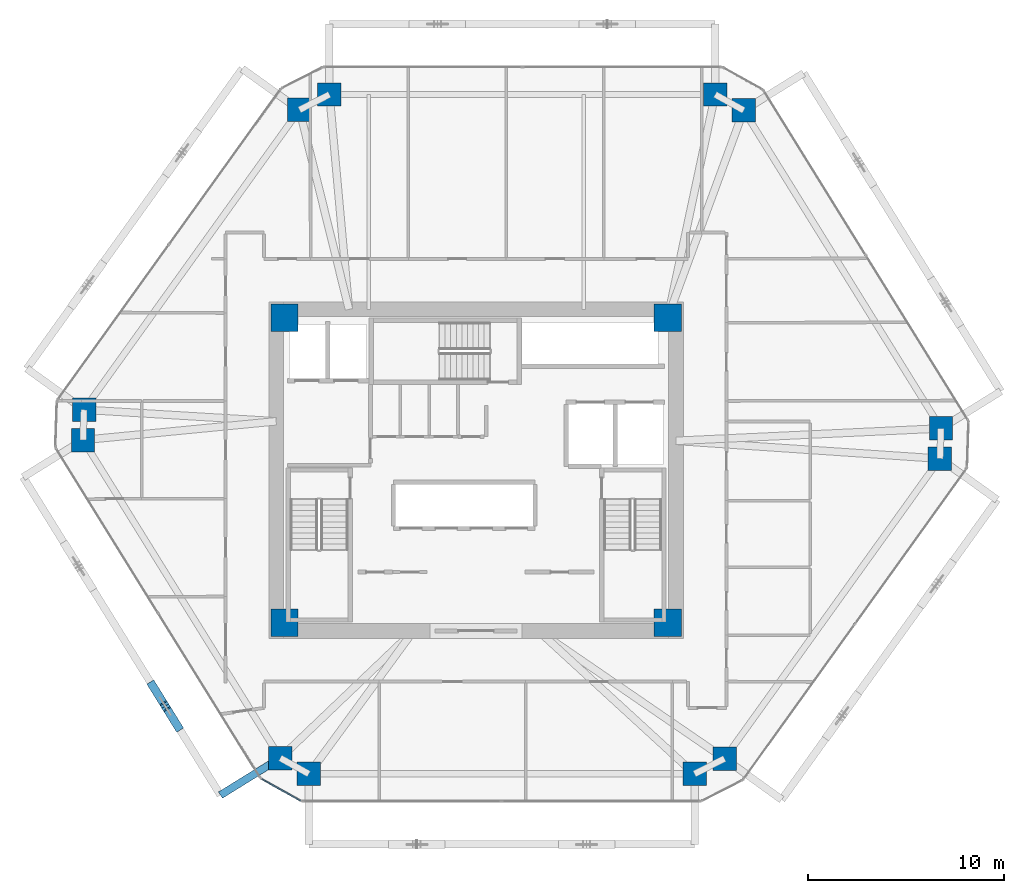
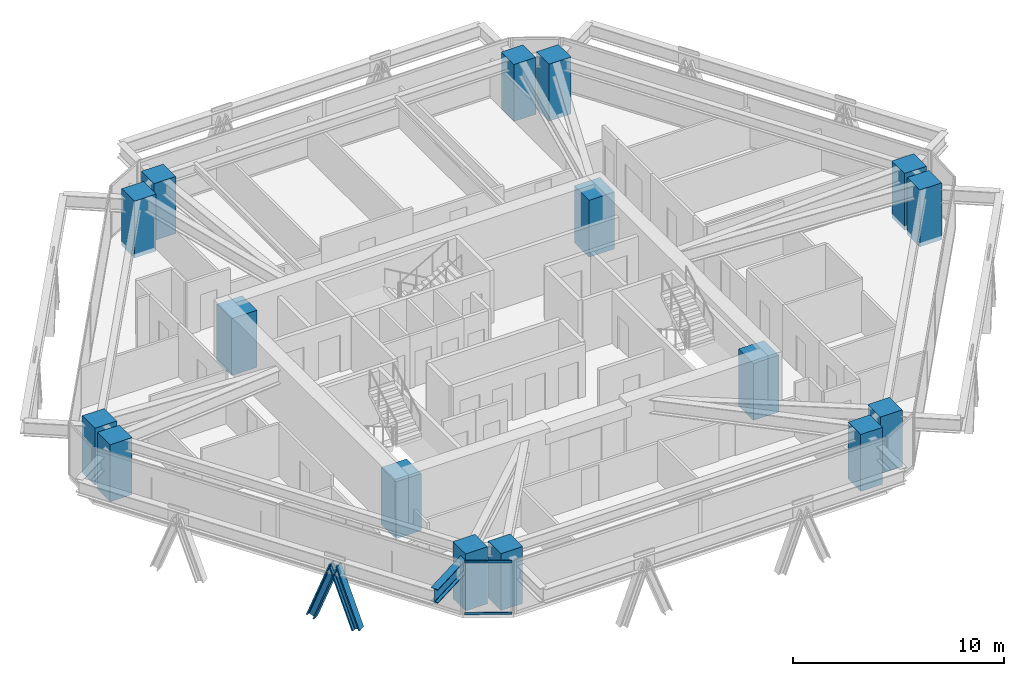
# One storey, part 1 of 16: 16 columns, 4 members, 1 beam, 1 element without a shape of its own.
"""IFC4 building model written with IfcOpenShell, lengths in metres."""

from ifc_helpers import new_model, si_unit, direction, frame, origin, origin_2d, place, context, subcontext, project, spatial, rectangle, i_section, extrude, source, transform, mapped, material, layer, layer_set, material_profile, profile_set, type_object, type_shapes, element, aggregate, save


model = new_model("IFC4")

# Units and contexts
model_context = context("Model", 3, precision=1e-05, world=origin(), true_north=direction((0.0, 1.0)))
body_context = subcontext(model_context, "Body", "Model", "MODEL_VIEW")
ifc_project = project(units=[si_unit("LENGTHUNIT", "METRE"), si_unit("AREAUNIT", "SQUARE_METRE"), si_unit("VOLUMEUNIT", "CUBIC_METRE"), si_unit("PLANEANGLEUNIT", "RADIAN"), si_unit("MASSUNIT", "GRAM", prefix="KILO")], contexts=[model_context])

# Site, building, storey
site_placement = place(None, origin())
site = spatial("IfcSite", under=ifc_project, at=site_placement, CompositionType="ELEMENT")
building_placement = place(site_placement, origin())
building = spatial("IfcBuilding", under=site, at=building_placement, Name="Durnholm Broadcast Tower", CompositionType="ELEMENT")
storey_placement = place(building_placement, frame((0.0, 0.0, 123.89990234375)))
storey = spatial("IfcBuildingStorey", under=building, at=storey_placement, Name="L33", CompositionType="ELEMENT", Elevation=123.89990234375)

# Columns
ifc_material_1 = material(Name="Concrete C70/85", Category="concrete")
ifc_material_profile_1 = material_profile(ifc_material_1, rectangle(XDim=1.39990234375, YDim=1.39990234375, at=origin_2d()), Name="RC1400X1400")
ifc_profile_set_1 = profile_set([ifc_material_profile_1], Name="Concrete C70/85")
column_type_1 = type_object("IfcColumnType", Name="COL-CC-1400", PredefinedType="COLUMN", material=ifc_profile_set_1)
shared_shape_1 = source(origin(), body_context, "Body", "SweptSolid", [
    extrude(rectangle(XDim=1.39990234375, YDim=1.39990234375, at=origin_2d()), origin(), (0.0, 0.0, 1.0), 3.300048828125),
])
type_shapes(column_type_1, [shared_shape_1])
for number, where, z_axis, x_axis, name in (
    (1, (-9.800048828125, -7.800048828125, -0.239990234375), (0.0, 0.0, 1.0), (1.0, 0.0, 0.0), "L33 core corner column 1"),
    (2, (9.800048828125, -7.800048828125, -0.239990234375), (0.0, 0.0, 1.0), (1.0, 0.0, 0.0), "L33 core corner column 2"),
    (3, (9.800048828125, 7.800048828125, -0.239990234375), (0.0, 0.0, 1.0), (1.0, 0.0, 0.0), "L33 core corner column 3"),
    (4, (-9.800048828125, 7.800048828125, -0.239990234375), (0.0, 0.0, 1.0), (1.0, 0.0, 0.0), "L33 core corner column 4"),
):
    element("IfcColumn", number, at=place(storey_placement, frame(where, z_axis=z_axis, x_axis=x_axis)), inside=storey, type_object=column_type_1, Name=name, PredefinedType="COLUMN", context=body_context, shape_type="MappedRepresentation", body=[
        mapped(shared_shape_1, transform((0.0, 0.0, 0.0), x_axis=(1.0, 0.0, 0.0), y_axis=(0.0, 1.0, 0.0), z_axis=(0.0, 0.0, 1.0), scale=1.0)),
    ])
ifc_material_profile_2 = material_profile(ifc_material_1, rectangle(XDim=1.199951171875, YDim=1.199951171875, at=origin_2d()), Name="RC1200X1200")
ifc_profile_set_2 = profile_set([ifc_material_profile_2], Name="Concrete C70/85")
column_type_2 = type_object("IfcColumnType", Name="COL-CC-1200", PredefinedType="COLUMN", material=ifc_profile_set_2)
shared_shape_2 = source(origin(), body_context, "Body", "SweptSolid", [
    extrude(rectangle(XDim=1.199951171875, YDim=1.199951171875, at=origin_2d()), origin(), (0.0, 0.0, 1.0), 3.300048828125),
])
type_shapes(column_type_2, [shared_shape_2])
for number, where, z_axis, x_axis, name in (
    (5, (-10.01416015625, -14.723388671875, -0.239990234375), (0.0, 0.0, 1.0), (1.0, 0.0, 0.0), "L33 perimeter hexagonal tube column 01"),
    (6, (-20.102783203125, 1.54150390625, -0.239990234375), (0.0, 0.0, 1.0), (1.0, 0.0, 0.0), "L33 perimeter hexagonal tube column 02"),
    (7, (-20.050048828125, 3.091064453125, -0.239990234375), (0.0, 0.0, 1.0), (1.0, 0.0, 0.0), "L33 perimeter hexagonal tube column 03"),
    (8, (-9.031982421875, 18.42822265625, -0.239990234375), (0.0, 0.0, 1.0), (1.0, 0.0, 0.0), "L33 perimeter hexagonal tube column 04"),
    (9, (-7.498046875, 19.215087890625, -0.239990234375), (0.0, 0.0, 1.0), (1.0, 0.0, 0.0), "L33 perimeter hexagonal tube column 05"),
    (10, (12.22998046875, 19.215087890625, -0.239990234375), (0.0, 0.0, 1.0), (1.0, 0.0, 0.0), "L33 perimeter hexagonal tube column 06"),
    (11, (13.692138671875, 18.4013671875, -0.239990234375), (0.0, 0.0, 1.0), (1.0, 0.0, 0.0), "L33 perimeter hexagonal tube column 07"),
    (12, (23.78076171875, 2.13671875, -0.239990234375), (0.0, 0.0, 1.0), (1.0, 0.0, 0.0), "L33 perimeter hexagonal tube column 08"),
    (13, (23.72802734375, 0.5869140625, -0.239990234375), (0.0, 0.0, 1.0), (1.0, 0.0, 0.0), "L33 perimeter hexagonal tube column 09"),
    (14, (12.7099609375, -14.750244140625, -0.239990234375), (0.0, 0.0, 1.0), (1.0, 0.0, 0.0), "L33 perimeter hexagonal tube column 10"),
    (15, (11.176025390625, -15.537109375, -0.239990234375), (0.0, 0.0, 1.0), (1.0, 0.0, 0.0), "L33 perimeter hexagonal tube column 11"),
    (16, (-8.552001953125, -15.537109375, -0.239990234375), (0.0, 0.0, 1.0), (1.0, 0.0, 0.0), "L33 perimeter hexagonal tube column 12"),
):
    element("IfcColumn", number, at=place(storey_placement, frame(where, z_axis=z_axis, x_axis=x_axis)), inside=storey, type_object=column_type_2, Name=name, PredefinedType="COLUMN", context=body_context, shape_type="MappedRepresentation", body=[
        mapped(shared_shape_2, transform((0.0, 0.0, 0.0), x_axis=(1.0, 0.0, 0.0), y_axis=(0.0, 1.0, 0.0), z_axis=(0.0, 0.0, 1.0), scale=1.0)),
    ])

# Beam
ifc_material_2 = material(Name="Steel ASTM A992 Grade 50", Category="steel")
ifc_material_profile_3 = material_profile(ifc_material_2, i_section(OverallWidth=0.385009765625, OverallDepth=0.802978515625, WebThickness=0.023681640625, FlangeThickness=0.0419921875, FilletRadius=0.032958984375, at=origin_2d()), Name="W30X261")
ifc_profile_set_3 = profile_set([ifc_material_profile_3], Name="Steel ASTM A992 Grade 50")
beam_type = type_object("IfcBeamType", Name="BM-EXO-TIE", PredefinedType="USERDEFINED", material=ifc_profile_set_3)
shared_shape_3 = source(origin(), body_context, "Body", "SweptSolid", [
    extrude(i_section(OverallWidth=0.385009765625, OverallDepth=0.802978515625, WebThickness=0.023681640625, FlangeThickness=0.0419921875, FilletRadius=0.032958984375, at=origin_2d()), origin(), (0.0, 0.0, 1.0), 3.455810546875),
])
type_shapes(beam_type, [shared_shape_3])
beam_placement = place(storey_placement, frame((-10.13671875, -14.79931640625, 2.30859375), z_axis=(-0.849807128357, -0.527093772107, 0.0), x_axis=(0.527093772107, -0.849807128357, 0.0)))
element("IfcBeam", 17, at=beam_placement, inside=storey, type_object=beam_type, Name="L33 exoskeleton stand-off tie bracket F6.2", ObjectType="GIRDER", PredefinedType="USERDEFINED", context=body_context, shape_type="MappedRepresentation", body=[
    mapped(shared_shape_3, transform((0.0, 0.0, 0.0), x_axis=(1.0, 0.0, 0.0), y_axis=(0.0, 1.0, 0.0), z_axis=(0.0, 0.0, 1.0), scale=1.0)),
])

# Members
ifc_material_3 = material(Name="Steel ASTM A913 Grade 65", Category="steel")
ifc_material_profile_4 = material_profile(ifc_material_3, i_section(OverallWidth=0.41845703125, OverallDepth=0.455078125, WebThickness=0.0419921875, FlangeThickness=0.067626953125, FilletRadius=0.030517578125, at=origin_2d()), Name="W14X370")
ifc_profile_set_4 = profile_set([ifc_material_profile_4], Name="Steel ASTM A913 Grade 65")
member_type_1 = type_object("IfcMemberType", Name="STL-DG-W14X370", PredefinedType="BRACE", material=ifc_profile_set_4)
shared_shape_4 = source(origin(), body_context, "Body", "SweptSolid", [
    extrude(i_section(OverallWidth=0.41845703125, OverallDepth=0.455078125, WebThickness=0.0419921875, FlangeThickness=0.067626953125, FilletRadius=0.030517578125, at=origin_2d()), origin(), (0.0, 0.0, 1.0), 3.52294921875),
])
type_shapes(member_type_1, [shared_shape_4])
for number, where, z_axis, x_axis, name in (
    (18, (-16.548583984375, -11.018310546875, -0.9912109375), (0.184618626166, -0.297579722507, 0.936676182907), (0.849750220063, 0.527185511469, 0.0), "L33 stand-off diagrid brace F6.D2.1"),
    (19, (-15.247802734375, -13.115234375, -0.9912109375), (-0.184614818514, 0.297642884954, 0.936656864503), (-0.849805205368, -0.527096872433, 0.0), "L33 stand-off diagrid brace F6.D2.2"),
):
    element("IfcMember", number, at=place(storey_placement, frame(where, z_axis=z_axis, x_axis=x_axis)), inside=storey, type_object=member_type_1, Name=name, PredefinedType="BRACE", context=body_context, shape_type="MappedRepresentation", body=[
        mapped(shared_shape_4, transform((0.0, 0.0, 0.0), x_axis=(1.0, 0.0, 0.0), y_axis=(0.0, 1.0, 0.0), z_axis=(0.0, 0.0, 1.0), scale=1.0)),
    ])

# Curtain wall, members
ifc_material_4 = material(Name="Aluminium and Solar Control IGU", Category="aluminium")
ifc_layer = layer(ifc_material_4, 0.1650390625)
ifc_layer_set = layer_set([ifc_layer], Name="Aluminium and Solar Control IGU")
curtain_wall_type = type_object("IfcCurtainWallType", Name="CW-SYS-5", PredefinedType="NOTDEFINED", material=ifc_layer_set)
curtain_wall_placement = place(storey_placement, origin())
curtain_wall = element("IfcCurtainWall", 20, at=curtain_wall_placement, inside=storey, type_object=curtain_wall_type, Name="L33 curtain wall CW-CORNER CW-L33-CRN-11", PredefinedType="NOTDEFINED")
ifc_material_5 = material(Name="Aluminium 6063-T6", Category="aluminium")
ifc_material_profile_5 = material_profile(ifc_material_5, rectangle(XDim=0.06494140625, YDim=0.1298828125, at=origin_2d()), Name="CWT65X130")
ifc_profile_set_5 = profile_set([ifc_material_profile_5], Name="Aluminium 6063-T6")
member_type_2 = type_object("IfcMemberType", Name="CW-SYS-5-TRN", PredefinedType="USERDEFINED", material=ifc_profile_set_5)
shared_shape_5 = source(origin(), body_context, "Body", "SweptSolid", [
    extrude(rectangle(XDim=0.06494140625, YDim=0.1298828125, at=origin_2d()), origin(), (0.0, 0.0, 1.0), 2.27001953125),
])
type_shapes(member_type_2, [shared_shape_5])
member_1_placement = place(storey_placement, frame((-8.971923828125, -16.9052734375, 0.03271484375), z_axis=(-0.873832405737, 0.486227237703, 0.0), x_axis=(-0.486227237703, -0.873832405737, 0.0)))
member_1 = element("IfcMember", 21, at=member_1_placement, type_object=member_type_2, Name="CW-CORNER transom 1.1", ObjectType="TRANSOM", PredefinedType="USERDEFINED", context=body_context, shape_type="MappedRepresentation", body=[
    mapped(shared_shape_5, transform((0.0, 0.0, 0.0), x_axis=(1.0, 0.0, 0.0), y_axis=(0.0, 1.0, 0.0), z_axis=(0.0, 0.0, 1.0), scale=1.0)),
])
member_2_placement = place(storey_placement, frame((-8.971923828125, -16.9052734375, 3.027587890625), z_axis=(-0.873832405737, 0.486227237703, 0.0), x_axis=(-0.486227237703, -0.873832405737, 0.0)))
member_2 = element("IfcMember", 22, at=member_2_placement, type_object=member_type_2, Name="CW-CORNER transom 1.2", ObjectType="TRANSOM", PredefinedType="USERDEFINED", context=body_context, shape_type="MappedRepresentation", body=[
    mapped(shared_shape_5, transform((0.0, 0.0, 0.0), x_axis=(1.0, 0.0, 0.0), y_axis=(0.0, 1.0, 0.0), z_axis=(0.0, 0.0, 1.0), scale=1.0)),
])
aggregate(curtain_wall, [member_1, member_2])

save(model, "model.ifc")
